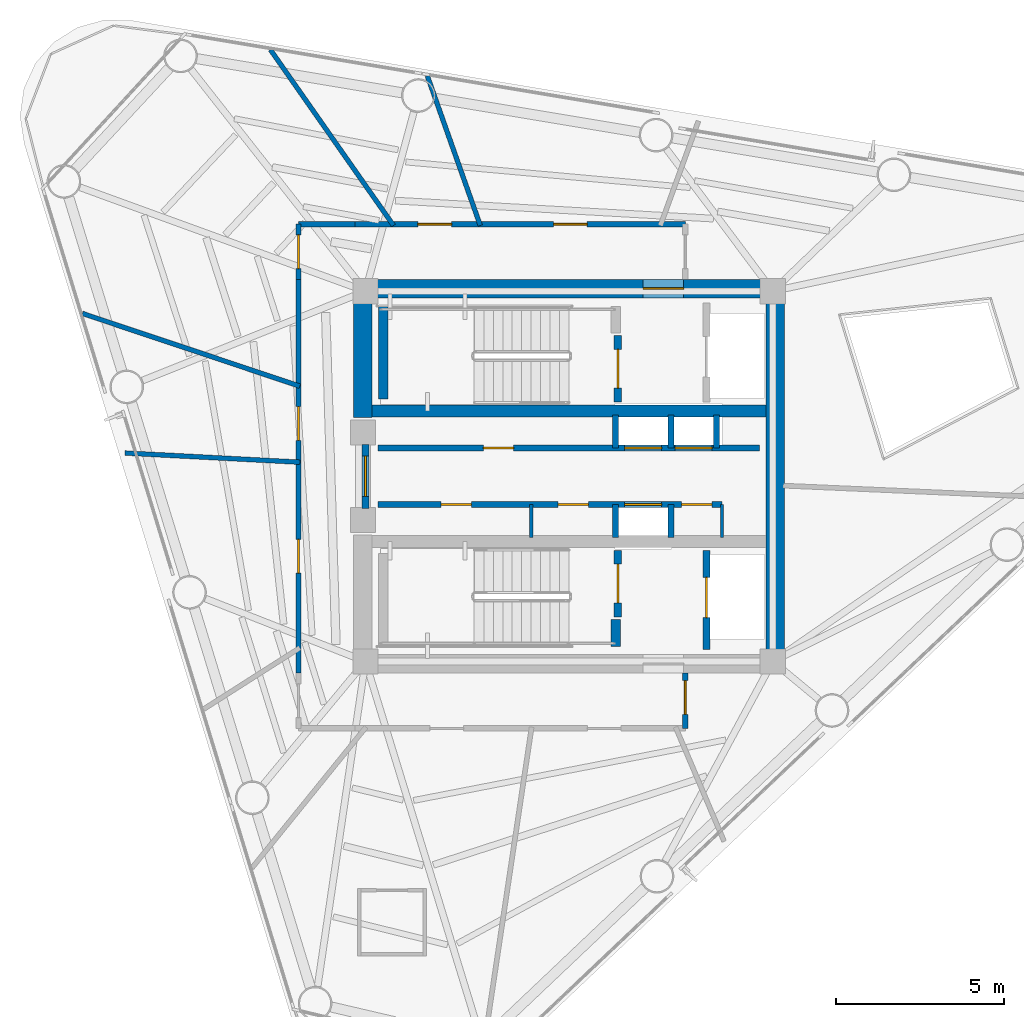
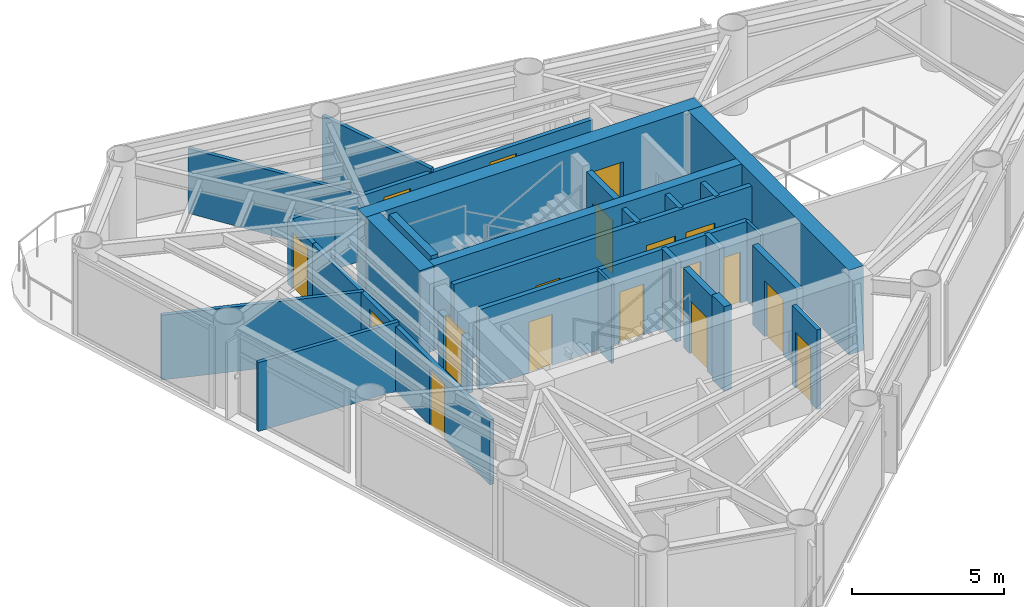
# One storey, part 5 of 8: 28 walls, 18 doors, 18 openings.
"""IFC4 building model written with IfcOpenShell, lengths in metres."""

from ifc_helpers import new_model, si_unit, direction, frame, frame_2d, origin, place, context, subcontext, project, spatial, rectangle, extrude, material, layer, layer_set, type_object, element, fill, save


model = new_model("IFC4")

# Units and contexts
model_context = context("Model", 3, precision=1e-05, world=origin(), true_north=direction((0.0, 1.0)))
body_context = subcontext(model_context, "Body", "Model", "MODEL_VIEW")
ifc_project = project(units=[si_unit("LENGTHUNIT", "METRE"), si_unit("AREAUNIT", "SQUARE_METRE"), si_unit("VOLUMEUNIT", "CUBIC_METRE"), si_unit("PLANEANGLEUNIT", "RADIAN"), si_unit("MASSUNIT", "GRAM", prefix="KILO")], contexts=[model_context])

# Site, building, storey
site_placement = place(None, origin())
site = spatial("IfcSite", under=ifc_project, at=site_placement, CompositionType="ELEMENT")
building_placement = place(site_placement, origin())
building = spatial("IfcBuilding", under=site, at=building_placement, Name="Yunling Apex Tower", CompositionType="ELEMENT")
storey_placement = place(building_placement, frame((0.0, 0.0, 235.449951171875)))
storey = spatial("IfcBuildingStorey", under=building, at=storey_placement, Name="L57", CompositionType="ELEMENT", Elevation=235.449951171875)

# Wall, opening, door
ifc_material_1 = material(Name="Concrete C40", Category="concrete")
ifc_layer_1 = layer(ifc_material_1, 0.550048828125)
ifc_layer_set_1 = layer_set([ifc_layer_1], Name="Concrete C40")
wall_type_1 = type_object("IfcWallType", Name="WL-COR-3", PredefinedType="SHEAR", material=ifc_layer_set_1)
wall_1_placement = place(storey_placement, frame((-6.39990234375, 5.574951171875, 0.0), z_axis=(0.0, 0.0, 1.0), x_axis=(1.0, 0.0, 0.0)))
wall_1 = element("IfcWall", 1, at=wall_1_placement, inside=storey, type_object=wall_type_1, Name="L57 North Core Shear Wall", PredefinedType="SHEAR", context=body_context, shape_type="SweptSolid", body=[
    extrude(rectangle(XDim=12.7998046875, YDim=0.550048828125, at=frame_2d((6.39990234375, 0.0))), origin(), (0.0, 0.0, 1.0), 3.400146484375),
])
opening_1_placement = place(wall_1_placement, frame((8.60009765625, 0.0, 0.0)))
opening_1 = element("IfcOpeningElement", 2, at=opening_1_placement, cuts=wall_1, Name="Opening DR-FFL-1", PredefinedType="OPENING", context=body_context, shape_type="SweptSolid", body=[
    extrude(rectangle(XDim=1.199951171875, YDim=2.199951171875, at=frame_2d((0.60009765625, 1.10009765625))), frame((0.0, 0.28515625, 0.0), z_axis=(0.0, -1.0, 0.0), x_axis=(1.0, 0.0, 0.0)), (0.0, 0.0, 1.0), 0.570068359375),
])
ifc_material_2 = material(Name="Steel Q355B", Category="steel")
door_type_1 = type_object("IfcDoorType", Name="DR-FFL-1", OperationType="NOTDEFINED", PredefinedType="DOOR", material=ifc_material_2)
door_1_placement = place(opening_1_placement, origin())
door_1 = element("IfcDoor", 3, at=door_1_placement, inside=storey, type_object=door_type_1, Name="L57 North Firefighting Lobby Door", OperationType="SINGLE_SWING_LEFT", OverallHeight=2.199951171875, OverallWidth=1.199951171875, PredefinedType="DOOR", context=body_context, shape_type="SweptSolid", body=[
    extrude(rectangle(XDim=1.199951171875, YDim=2.199951171875, at=frame_2d((0.60009765625, 1.10009765625))), frame((0.0, 0.02490234375, 0.0), z_axis=(0.0, -1.0, 0.0), x_axis=(1.0, 0.0, 0.0)), (0.0, 0.0, 1.0), 0.050048828125),
])
fill(opening_1, door_1)

# Walls
wall_2_placement = place(storey_placement, frame((6.125, -5.300048828125, 0.0), z_axis=(0.0, 0.0, 1.0), x_axis=(0.0, 1.0, 0.0)))
element("IfcWall", 4, at=wall_2_placement, inside=storey, type_object=wall_type_1, Name="L57 East Core Shear Wall", PredefinedType="SHEAR", context=body_context, shape_type="SweptSolid", body=[
    extrude(rectangle(XDim=10.60009765625, YDim=0.550048828125, at=frame_2d((5.300048828125, 0.0))), origin(), (0.0, 0.0, 1.0), 3.400146484375),
])
wall_3_placement = place(storey_placement, frame((-6.125, 1.75, 0.0), z_axis=(0.0, 0.0, 1.0), x_axis=(0.0, 1.0, 0.0)))
element("IfcWall", 5, at=wall_3_placement, inside=storey, type_object=wall_type_1, Name="L57 West-North Core Shear Wall", PredefinedType="SHEAR", context=body_context, shape_type="SweptSolid", body=[
    extrude(rectangle(XDim=3.550048828125, YDim=0.550048828125, at=frame_2d((1.77490234375, 0.0))), origin(), (0.0, 0.0, 1.0), 3.400146484375),
])
ifc_layer_2 = layer(ifc_material_1, 0.360107421875)
ifc_layer_set_2 = layer_set([ifc_layer_2], Name="Concrete C40")
wall_type_2 = type_object("IfcWallType", Name="WL-COR-4", PredefinedType="SHEAR", material=ifc_layer_set_2)
wall_4_placement = place(storey_placement, frame((-5.85009765625, 1.93994140625, 0.0), z_axis=(0.0, 0.0, 1.0), x_axis=(1.0, 0.0, 0.0)))
element("IfcWall", 6, at=wall_4_placement, inside=storey, type_object=wall_type_2, Name="L57 North Internal Core Shear Wall", PredefinedType="SHEAR", context=body_context, shape_type="SweptSolid", body=[
    extrude(rectangle(XDim=11.7001953125, YDim=0.360107421875, at=frame_2d((5.85009765625, 0.0))), origin(), (0.0, 0.0, 1.0), 3.400146484375),
])
ifc_layer_3 = layer(ifc_material_1, 0.280029296875)
ifc_layer_set_3 = layer_set([ifc_layer_3], Name="Concrete C40")
wall_type_3 = type_object("IfcWallType", Name="WL-COR-8", PredefinedType="SHEAR", material=ifc_layer_set_3)
wall_5_placement = place(storey_placement, frame((-5.52001953125, 2.300048828125, 0.0), z_axis=(0.0, 0.0, 1.0), x_axis=(0.0, 1.0, 0.0)))
element("IfcWall", 7, at=wall_5_placement, inside=storey, type_object=wall_type_3, Name="L57 ST-1 West Landing Bearing Wall", PredefinedType="SHEAR", context=body_context, shape_type="SweptSolid", body=[
    extrude(rectangle(XDim=2.75, YDim=0.280029296875, at=frame_2d((1.375, 0.0))), origin(), (0.0, 0.0, 1.0), 3.400146484375),
])
wall_6_placement = place(storey_placement, frame((1.3798828125, -5.050048828125, 0.0), z_axis=(0.0, 0.0, 1.0), x_axis=(0.0, 1.0, 0.0)))
element("IfcWall", 8, at=wall_6_placement, inside=storey, type_object=wall_type_3, Name="L57 ST-2 East Landing Bearing Pier", PredefinedType="SHEAR", context=body_context, shape_type="SweptSolid", body=[
    extrude(rectangle(XDim=0.800048828125, YDim=0.280029296875, at=frame_2d((0.39990234375, 0.0))), origin(), (0.0, 0.0, 1.0), 3.400146484375),
])

# Wall, opening, door
ifc_material_3 = material(Name="Gypsum board acoustic partition")
ifc_layer_4 = layer(ifc_material_3, 0.159912109375)
ifc_layer_set_4 = layer_set([ifc_layer_4], Name="Gypsum board acoustic partition")
wall_type_4 = type_object("IfcWallType", Name="WL-PRT-1", PredefinedType="PARTITIONING", material=ifc_layer_set_4)
wall_7_placement = place(storey_placement, frame((-8.0400390625, 5.85009765625, 0.0), z_axis=(0.0, 0.0, 1.0), x_axis=(0.0, 1.0, 0.0)))
wall_7 = element("IfcWall", 9, at=wall_7_placement, inside=storey, type_object=wall_type_4, Name="WL-CORR-L57-01", PredefinedType="PARTITIONING", context=body_context, shape_type="SweptSolid", body=[
    extrude(rectangle(XDim=1.639892578125, YDim=0.159912109375, at=frame_2d((0.81982421875, 0.0))), origin(), (0.0, 0.0, 1.0), 2.60498046875),
])
opening_2_placement = place(wall_7_placement, frame((0.320068359375, 0.0, 0.0)))
opening_2 = element("IfcOpeningElement", 10, at=opening_2_placement, cuts=wall_7, Name="Opening DR-OFF-1", PredefinedType="OPENING", context=body_context, shape_type="SweptSolid", body=[
    extrude(rectangle(XDim=1.0, YDim=2.25, at=frame_2d((0.5, 1.125))), frame((0.0, 0.08984375, 0.0), z_axis=(0.0, -1.0, 0.0), x_axis=(1.0, 0.0, 0.0)), (0.0, 0.0, 1.0), 0.179931640625),
])
ifc_material_4 = material(Name="Bronze anodised aluminium", Category="aluminium")
door_type_2 = type_object("IfcDoorType", Name="DR-OFF-1", OperationType="NOTDEFINED", PredefinedType="DOOR", material=ifc_material_4)
door_2_placement = place(opening_2_placement, origin())
door_2 = element("IfcDoor", 11, at=door_2_placement, inside=storey, type_object=door_type_2, Name="L57 Residents Sky Reading Lounge Door", OperationType="SINGLE_SWING_LEFT", OverallHeight=2.25, OverallWidth=1.0, PredefinedType="DOOR", context=body_context, shape_type="SweptSolid", body=[
    extrude(rectangle(XDim=1.0, YDim=2.25, at=frame_2d((0.5, 1.125))), frame((0.0, 0.02490234375, 0.0), z_axis=(0.0, -1.0, 0.0), x_axis=(1.0, 0.0, 0.0)), (0.0, 0.0, 1.0), 0.050048828125),
])
fill(opening_2, door_2)

# Wall
wall_8_placement = place(storey_placement, frame((-8.0400390625, 7.489990234375, 0.0), z_axis=(0.0, 0.0, 1.0), x_axis=(1.0, 0.0, 0.0)))
element("IfcWall", 12, at=wall_8_placement, inside=storey, type_object=wall_type_4, Name="WL-CORR-L57-02", PredefinedType="PARTITIONING", context=body_context, shape_type="SweptSolid", body=[
    extrude(rectangle(XDim=1.679931640625, YDim=0.159912109375, at=frame_2d((0.83984375, 0.0))), origin(), (0.0, 0.0, 1.0), 2.60498046875),
])

# Wall, openings, doors
wall_9_placement = place(storey_placement, frame((-6.360107421875, 7.489990234375, 0.0), z_axis=(0.0, 0.0, 1.0), x_axis=(1.0, 0.0, 0.0)))
wall_9 = element("IfcWall", 13, at=wall_9_placement, inside=storey, type_object=wall_type_4, Name="WL-CORR-L57-03", PredefinedType="PARTITIONING", context=body_context, shape_type="SweptSolid", body=[
    extrude(rectangle(XDim=9.81005859375, YDim=0.159912109375, at=frame_2d((4.905029296875, 0.0))), origin(), (0.0, 0.0, 1.0), 2.60498046875),
])
opening_3_placement = place(wall_9_placement, frame((1.866943359375, 0.0, 0.0)))
opening_3 = element("IfcOpeningElement", 14, at=opening_3_placement, cuts=wall_9, Name="Opening DR-OFF-1", PredefinedType="OPENING", context=body_context, shape_type="SweptSolid", body=[
    extrude(rectangle(XDim=1.0, YDim=2.25, at=frame_2d((0.5, 1.125))), frame((0.0, 0.08984375, 0.0), z_axis=(0.0, -1.0, 0.0), x_axis=(1.0, 0.0, 0.0)), (0.0, 0.0, 1.0), 0.179931640625),
])
opening_4_placement = place(wall_9_placement, frame((5.897216796875, 0.0, 0.0)))
opening_4 = element("IfcOpeningElement", 15, at=opening_4_placement, cuts=wall_9, Name="Opening DR-OFF-1", PredefinedType="OPENING", context=body_context, shape_type="SweptSolid", body=[
    extrude(rectangle(XDim=1.0, YDim=2.25, at=frame_2d((0.5, 1.125))), frame((0.0, 0.08984375, 0.0), z_axis=(0.0, -1.0, 0.0), x_axis=(1.0, 0.0, 0.0)), (0.0, 0.0, 1.0), 0.179931640625),
])
door_3_placement = place(opening_3_placement, origin())
door_3 = element("IfcDoor", 16, at=door_3_placement, inside=storey, type_object=door_type_2, Name="L57 Residents Fitness Club Door", OperationType="SINGLE_SWING_RIGHT", OverallHeight=2.25, OverallWidth=1.0, PredefinedType="DOOR", context=body_context, shape_type="SweptSolid", body=[
    extrude(rectangle(XDim=1.0, YDim=2.25, at=frame_2d((0.5, 1.125))), frame((0.0, 0.02490234375, 0.0), z_axis=(0.0, -1.0, 0.0), x_axis=(1.0, 0.0, 0.0)), (0.0, 0.0, 1.0), 0.050048828125),
])
fill(opening_3, door_3)
door_4_placement = place(opening_4_placement, origin())
door_4 = element("IfcDoor", 17, at=door_4_placement, inside=storey, type_object=door_type_2, Name="L57 Residents Sky Reading Lounge Door", OperationType="SINGLE_SWING_LEFT", OverallHeight=2.25, OverallWidth=1.0, PredefinedType="DOOR", context=body_context, shape_type="SweptSolid", body=[
    extrude(rectangle(XDim=1.0, YDim=2.25, at=frame_2d((0.5, 1.125))), frame((0.0, 0.02490234375, 0.0), z_axis=(0.0, -1.0, 0.0), x_axis=(1.0, 0.0, 0.0)), (0.0, 0.0, 1.0), 0.050048828125),
])
fill(opening_4, door_4)

# Wall, opening, door
wall_10_placement = place(storey_placement, frame((3.449951171875, -5.85009765625, 0.0), z_axis=(0.0, 0.0, 1.0), x_axis=(0.0, -1.0, 0.0)))
wall_10 = element("IfcWall", 18, at=wall_10_placement, inside=storey, type_object=wall_type_4, Name="WL-CORR-L57-05", PredefinedType="PARTITIONING", context=body_context, shape_type="SweptSolid", body=[
    extrude(rectangle(XDim=1.639892578125, YDim=0.159912109375, at=frame_2d((0.81982421875, 0.0))), origin(), (0.0, 0.0, 1.0), 3.199951171875),
])
opening_5_placement = place(wall_10_placement, frame((0.219970703125, 0.0, 0.0)))
opening_5 = element("IfcOpeningElement", 19, at=opening_5_placement, cuts=wall_10, Name="Opening DR-OFF-1", PredefinedType="OPENING", context=body_context, shape_type="SweptSolid", body=[
    extrude(rectangle(XDim=1.0, YDim=2.25, at=frame_2d((0.5, 1.125))), frame((0.0, 0.08984375, 0.0), z_axis=(0.0, -1.0, 0.0), x_axis=(1.0, 0.0, 0.0)), (0.0, 0.0, 1.0), 0.179931640625),
])
door_5_placement = place(opening_5_placement, origin())
door_5 = element("IfcDoor", 20, at=door_5_placement, inside=storey, type_object=door_type_2, Name="L57 Residents Sky Reading Lounge Door", OperationType="SINGLE_SWING_LEFT", OverallHeight=2.25, OverallWidth=1.0, PredefinedType="DOOR", context=body_context, shape_type="SweptSolid", body=[
    extrude(rectangle(XDim=1.0, YDim=2.25, at=frame_2d((0.5, 1.125))), frame((0.0, 0.02490234375, 0.0), z_axis=(0.0, -1.0, 0.0), x_axis=(1.0, 0.0, 0.0)), (0.0, 0.0, 1.0), 0.050048828125),
])
fill(opening_5, door_5)

# Wall, openings, doors
wall_11_placement = place(storey_placement, frame((-8.0400390625, -5.85009765625, 0.0), z_axis=(0.0, 0.0, 1.0), x_axis=(0.0, 1.0, 0.0)))
wall_11 = element("IfcWall", 21, at=wall_11_placement, inside=storey, type_object=wall_type_4, Name="WL-CORR-L57-09", PredefinedType="PARTITIONING", context=body_context, shape_type="SweptSolid", body=[
    extrude(rectangle(XDim=11.7001953125, YDim=0.159912109375, at=frame_2d((5.85009765625, 0.0))), origin(), (0.0, 0.0, 1.0), 2.60498046875),
])
opening_6_placement = place(wall_11_placement, frame((2.97705078125, 0.0, 0.0)))
opening_6 = element("IfcOpeningElement", 22, at=opening_6_placement, cuts=wall_11, Name="Opening DR-OFF-1", PredefinedType="OPENING", context=body_context, shape_type="SweptSolid", body=[
    extrude(rectangle(XDim=1.0, YDim=2.25, at=frame_2d((0.5, 1.125))), frame((0.0, 0.08984375, 0.0), z_axis=(0.0, -1.0, 0.0), x_axis=(1.0, 0.0, 0.0)), (0.0, 0.0, 1.0), 0.179931640625),
])
opening_7_placement = place(wall_11_placement, frame((6.91943359375, 0.0, 0.0)))
opening_7 = element("IfcOpeningElement", 23, at=opening_7_placement, cuts=wall_11, Name="Opening DR-OFF-1", PredefinedType="OPENING", context=body_context, shape_type="SweptSolid", body=[
    extrude(rectangle(XDim=1.0, YDim=2.25, at=frame_2d((0.5, 1.125))), frame((0.0, 0.08984375, 0.0), z_axis=(0.0, -1.0, 0.0), x_axis=(1.0, 0.0, 0.0)), (0.0, 0.0, 1.0), 0.179931640625),
])
door_6_placement = place(opening_6_placement, origin())
door_6 = element("IfcDoor", 24, at=door_6_placement, inside=storey, type_object=door_type_2, Name="L57 Residents Sky Reading Lounge Door", OperationType="SINGLE_SWING_LEFT", OverallHeight=2.25, OverallWidth=1.0, PredefinedType="DOOR", context=body_context, shape_type="SweptSolid", body=[
    extrude(rectangle(XDim=1.0, YDim=2.25, at=frame_2d((0.5, 1.125))), frame((0.0, 0.02490234375, 0.0), z_axis=(0.0, -1.0, 0.0), x_axis=(1.0, 0.0, 0.0)), (0.0, 0.0, 1.0), 0.050048828125),
])
fill(opening_6, door_6)
door_7_placement = place(opening_7_placement, origin())
door_7 = element("IfcDoor", 25, at=door_7_placement, inside=storey, type_object=door_type_2, Name="L57 Residents Fitness Club Door", OperationType="SINGLE_SWING_RIGHT", OverallHeight=2.25, OverallWidth=1.0, PredefinedType="DOOR", context=body_context, shape_type="SweptSolid", body=[
    extrude(rectangle(XDim=1.0, YDim=2.25, at=frame_2d((0.5, 1.125))), frame((0.0, 0.02490234375, 0.0), z_axis=(0.0, -1.0, 0.0), x_axis=(1.0, 0.0, 0.0)), (0.0, 0.0, 1.0), 0.050048828125),
])
fill(opening_7, door_7)

# Walls
ifc_layer_5 = layer(ifc_material_3, 0.139892578125)
ifc_layer_set_5 = layer_set([ifc_layer_5], Name="Gypsum board acoustic partition")
wall_type_5 = type_object("IfcWallType", Name="WL-PRT-2", PredefinedType="PARTITIONING", material=ifc_layer_set_5)
wall_12_placement = place(storey_placement, frame((-2.63818359375, 7.449951171875, 0.0), z_axis=(0.0, 0.0, 1.0), x_axis=(-0.333819345572, 0.942637069355, 0.0)))
element("IfcWall", 26, at=wall_12_placement, inside=storey, type_object=wall_type_5, Name="WL-RAD-L57-03", PredefinedType="PARTITIONING", context=body_context, shape_type="SweptSolid", body=[
    extrude(rectangle(XDim=4.715087890625, YDim=0.139892578125, at=frame_2d((2.357421875, 0.0))), origin(), (0.0, 0.0, 1.0), 2.76513671875),
])
wall_13_placement = place(storey_placement, frame((-5.216552734375, 7.449951171875, 0.0), z_axis=(0.0, 0.0, 1.0), x_axis=(-0.573578024676, 0.819150932129, 0.0)))
element("IfcWall", 27, at=wall_13_placement, inside=storey, type_object=wall_type_5, Name="WL-RAD-L57-04", PredefinedType="PARTITIONING", context=body_context, shape_type="SweptSolid", body=[
    extrude(rectangle(XDim=6.37353515625, YDim=0.139892578125, at=frame_2d((3.186767578125, 0.0))), origin(), (0.0, 0.0, 1.0), 2.60498046875),
])
wall_14_placement = place(storey_placement, frame((-8.0, 2.6767578125, 0.0), z_axis=(0.0, 0.0, 1.0), x_axis=(-0.948324112853, 0.317303288639, 0.0)))
element("IfcWall", 28, at=wall_14_placement, inside=storey, type_object=wall_type_5, Name="WL-RAD-L57-05", PredefinedType="PARTITIONING", context=body_context, shape_type="SweptSolid", body=[
    extrude(rectangle(XDim=6.80859375, YDim=0.139892578125, at=frame_2d((3.404296875, 0.0))), origin(), (0.0, 0.0, 1.0), 2.60498046875),
])
wall_15_placement = place(storey_placement, frame((-8.0, 0.419189453125, 0.0), z_axis=(0.0, 0.0, 1.0), x_axis=(-0.998629485047, 0.052336904702, 0.0)))
element("IfcWall", 29, at=wall_15_placement, inside=storey, type_object=wall_type_5, Name="WL-RAD-L57-06", PredefinedType="PARTITIONING", context=body_context, shape_type="SweptSolid", body=[
    extrude(rectangle(XDim=5.196533203125, YDim=0.139892578125, at=frame_2d((2.59814453125, 0.0))), origin(), (0.0, 0.0, 1.0), 2.76513671875),
])
ifc_layer_6 = layer(ifc_material_3, 0.10009765625)
ifc_layer_set_6 = layer_set([ifc_layer_6], Name="Gypsum board acoustic partition")
wall_type_6 = type_object("IfcWallType", Name="WL-PRT-4", PredefinedType="PARTITIONING", material=ifc_layer_set_6)
for number, where, z_axis, x_axis, name in (
    (30, (-1.1201171875, -1.820068359375, 0.0), (0.0, 0.0, 1.0), (0.0, 1.0, 0.0), "WL-RECLMA-S-L57"),
    (31, (4.5400390625, -1.820068359375, 0.0), (0.0, 0.0, 1.0), (0.0, 1.0, 0.0), "WL-KASE-E-L57"),
):
    element("IfcWall", number, at=place(storey_placement, frame(where, z_axis=z_axis, x_axis=x_axis)), inside=storey, type_object=wall_type_6, Name=name, PredefinedType="PARTITIONING", context=body_context, shape_type="SweptSolid", body=[
        extrude(rectangle(XDim=0.97998046875, YDim=0.10009765625, at=frame_2d((0.489990234375, 0.0))), origin(), (0.0, 0.0, 1.0), 3.199951171875),
    ])

# Wall, opening, door
ifc_material_5 = material(Name="Autoclaved aerated concrete masonry", Category="masonry")
ifc_layer_7 = layer(ifc_material_5, 0.219970703125)
ifc_layer_set_7 = layer_set([ifc_layer_7], Name="Autoclaved aerated concrete masonry")
wall_type_7 = type_object("IfcWallType", Name="WL-SHF-1", PredefinedType="PLUMBINGWALL", material=ifc_layer_set_7)
wall_16_placement = place(storey_placement, frame((-6.050048828125, -0.949951171875, 0.0), z_axis=(0.0, 0.0, 1.0), x_axis=(0.0, 1.0, 0.0)))
wall_16 = element("IfcWall", 32, at=wall_16_placement, inside=storey, type_object=wall_type_7, Name="WL-COR-WPORT-L57", PredefinedType="PLUMBINGWALL", context=body_context, shape_type="SweptSolid", body=[
    extrude(rectangle(XDim=1.89990234375, YDim=0.219970703125, at=frame_2d((0.949951171875, 0.0))), origin(), (0.0, 0.0, 1.0), 2.179931640625),
])
opening_8_placement = place(wall_16_placement, frame((0.35009765625, 0.0, 0.0)))
opening_8 = element("IfcOpeningElement", 33, at=opening_8_placement, cuts=wall_16, Name="Opening DR-FFL-1", PredefinedType="OPENING", context=body_context, shape_type="SweptSolid", body=[
    extrude(rectangle(XDim=1.199951171875, YDim=2.199951171875, at=frame_2d((0.60009765625, 1.10009765625))), frame((0.0, 0.1201171875, 0.0), z_axis=(0.0, -1.0, 0.0), x_axis=(1.0, 0.0, 0.0)), (0.0, 0.0, 1.0), 0.239990234375),
])
door_8_placement = place(opening_8_placement, origin())
door_8 = element("IfcDoor", 34, at=door_8_placement, inside=storey, type_object=door_type_1, Name="L57 Passenger Lift Lobby Entrance Door", OperationType="SINGLE_SWING_LEFT", OverallHeight=2.199951171875, OverallWidth=1.199951171875, PredefinedType="DOOR", context=body_context, shape_type="SweptSolid", body=[
    extrude(rectangle(XDim=1.199951171875, YDim=2.199951171875, at=frame_2d((0.60009765625, 1.10009765625))), frame((0.0, 0.02490234375, 0.0), z_axis=(0.0, -1.0, 0.0), x_axis=(1.0, 0.0, 0.0)), (0.0, 0.0, 1.0), 0.050048828125),
])
fill(opening_8, door_8)

wall_17_placement = place(storey_placement, frame((1.449951171875, 2.199951171875, 0.0), z_axis=(0.0, 0.0, 1.0), x_axis=(0.0, 1.0, 0.0)))
wall_17 = element("IfcWall", 35, at=wall_17_placement, inside=storey, type_object=wall_type_7, Name="WL-ST1-E-L57", PredefinedType="PLUMBINGWALL", context=body_context, shape_type="SweptSolid", body=[
    extrude(rectangle(XDim=1.97998046875, YDim=0.219970703125, at=frame_2d((0.989990234375, 0.0))), origin(), (0.0, 0.0, 1.0), 3.199951171875),
])
opening_9_placement = place(wall_17_placement, frame((0.419921875, 0.0, 0.0)))
opening_9 = element("IfcOpeningElement", 36, at=opening_9_placement, cuts=wall_17, Name="Opening DR-ST-1", PredefinedType="OPENING", context=body_context, shape_type="SweptSolid", body=[
    extrude(rectangle(XDim=1.14990234375, YDim=2.14990234375, at=frame_2d((0.574951171875, 1.074951171875))), frame((0.0, 0.1201171875, 0.0), z_axis=(0.0, -1.0, 0.0), x_axis=(1.0, 0.0, 0.0)), (0.0, 0.0, 1.0), 0.239990234375),
])
door_type_3 = type_object("IfcDoorType", Name="DR-ST-1", OperationType="NOTDEFINED", PredefinedType="DOOR", material=ifc_material_2)
door_9_placement = place(opening_9_placement, origin())
door_9 = element("IfcDoor", 37, at=door_9_placement, inside=storey, type_object=door_type_3, Name="L57 Stair ST-1 Fire Door", OperationType="SINGLE_SWING_RIGHT", OverallHeight=2.14990234375, OverallWidth=1.14990234375, PredefinedType="DOOR", context=body_context, shape_type="SweptSolid", body=[
    extrude(rectangle(XDim=1.14990234375, YDim=2.14990234375, at=frame_2d((0.574951171875, 1.074951171875))), frame((0.0, 0.02490234375, 0.0), z_axis=(0.0, -1.0, 0.0), x_axis=(1.0, 0.0, 0.0)), (0.0, 0.0, 1.0), 0.050048828125),
])
fill(opening_9, door_9)

wall_18_placement = place(storey_placement, frame((1.449951171875, -4.179931640625, 0.0), z_axis=(0.0, 0.0, 1.0), x_axis=(0.0, 1.0, 0.0)))
wall_18 = element("IfcWall", 38, at=wall_18_placement, inside=storey, type_object=wall_type_7, Name="WL-ST2-E-L57", PredefinedType="PLUMBINGWALL", context=body_context, shape_type="SweptSolid", body=[
    extrude(rectangle(XDim=1.97998046875, YDim=0.219970703125, at=frame_2d((0.989990234375, 0.0))), origin(), (0.0, 0.0, 1.0), 3.199951171875),
])
opening_10_placement = place(wall_18_placement, frame((0.419921875, 0.0, 0.0)))
opening_10 = element("IfcOpeningElement", 39, at=opening_10_placement, cuts=wall_18, Name="Opening DR-ST-1", PredefinedType="OPENING", context=body_context, shape_type="SweptSolid", body=[
    extrude(rectangle(XDim=1.14990234375, YDim=2.14990234375, at=frame_2d((0.574951171875, 1.074951171875))), frame((0.0, 0.1201171875, 0.0), z_axis=(0.0, -1.0, 0.0), x_axis=(1.0, 0.0, 0.0)), (0.0, 0.0, 1.0), 0.239990234375),
])
door_10_placement = place(opening_10_placement, origin())
door_10 = element("IfcDoor", 40, at=door_10_placement, inside=storey, type_object=door_type_3, Name="L57 Stair ST-2 Fire Door", OperationType="SINGLE_SWING_LEFT", OverallHeight=2.14990234375, OverallWidth=1.14990234375, PredefinedType="DOOR", context=body_context, shape_type="SweptSolid", body=[
    extrude(rectangle(XDim=1.14990234375, YDim=2.14990234375, at=frame_2d((0.574951171875, 1.074951171875))), frame((0.0, 0.02490234375, 0.0), z_axis=(0.0, -1.0, 0.0), x_axis=(1.0, 0.0, 0.0)), (0.0, 0.0, 1.0), 0.050048828125),
])
fill(opening_10, door_10)

wall_19_placement = place(storey_placement, frame((4.080078125, -5.14990234375, 0.0), z_axis=(0.0, 0.0, 1.0), x_axis=(0.0, 1.0, 0.0)))
wall_19 = element("IfcWall", 41, at=wall_19_placement, inside=storey, type_object=wall_type_7, Name="WL-FFL2-W-L57", PredefinedType="PLUMBINGWALL", context=body_context, shape_type="SweptSolid", body=[
    extrude(rectangle(XDim=2.949951171875, YDim=0.219970703125, at=frame_2d((1.47509765625, 0.0))), origin(), (0.0, 0.0, 1.0), 3.199951171875),
])
opening_11_placement = place(wall_19_placement, frame((0.949951171875, 0.0, 0.0)))
opening_11 = element("IfcOpeningElement", 42, at=opening_11_placement, cuts=wall_19, Name="Opening LD-FFL-1", PredefinedType="OPENING", context=body_context, shape_type="SweptSolid", body=[
    extrude(rectangle(XDim=1.199951171875, YDim=2.25, at=frame_2d((0.60009765625, 1.125))), frame((0.0, 0.1201171875, 0.0), z_axis=(0.0, -1.0, 0.0), x_axis=(1.0, 0.0, 0.0)), (0.0, 0.0, 1.0), 0.239990234375),
])
door_type_4 = type_object("IfcDoorType", Name="LD-FFL-1", OperationType="DOUBLE_DOOR_SLIDING", PredefinedType="DOOR", material=ifc_material_2)
door_11_placement = place(opening_11_placement, origin())
door_11 = element("IfcDoor", 43, at=door_11_placement, inside=storey, type_object=door_type_4, Name="L57 Lift FFL-2 Landing Door", OperationType="DOUBLE_DOOR_SLIDING", OverallHeight=2.25, OverallWidth=1.199951171875, PredefinedType="DOOR", context=body_context, shape_type="SweptSolid", body=[
    extrude(rectangle(XDim=1.199951171875, YDim=2.25, at=frame_2d((0.60009765625, 1.125))), frame((0.0, 0.02490234375, 0.0), z_axis=(0.0, -1.0, 0.0), x_axis=(1.0, 0.0, 0.0)), (0.0, 0.0, 1.0), 0.050048828125),
])
fill(opening_11, door_11)

# Walls
ifc_layer_8 = layer(ifc_material_5, 0.179931640625)
ifc_layer_set_8 = layer_set([ifc_layer_8], Name="Autoclaved aerated concrete masonry")
wall_type_8 = type_object("IfcWallType", Name="WL-SHF-2", PredefinedType="PLUMBINGWALL", material=ifc_layer_set_8)
for number, where, z_axis, x_axis, name in (
    (44, (1.3798828125, 0.840087890625, 0.0), (0.0, 0.0, 1.0), (0.0, 1.0, 0.0), "WL-BNK-MH-N-L57"),
    (45, (1.3798828125, -1.820068359375, 0.0), (0.0, 0.0, 1.0), (0.0, 1.0, 0.0), "WL-BNK-MH-S-L57"),
    (46, (3.02001953125, 0.840087890625, 0.0), (0.0, 0.0, 1.0), (0.0, 1.0, 0.0), "WL-DIV-H13-L57"),
    (47, (4.3798828125, 0.840087890625, 0.0), (0.0, 0.0, 1.0), (0.0, 1.0, 0.0), "WL-END-H3E-L57"),
    (48, (3.02001953125, -1.820068359375, 0.0), (0.0, 0.0, 1.0), (0.0, 1.0, 0.0), "WL-END-H2E-L57"),
):
    element("IfcWall", number, at=place(storey_placement, frame(where, z_axis=z_axis, x_axis=x_axis)), inside=storey, type_object=wall_type_8, Name=name, PredefinedType="PLUMBINGWALL", context=body_context, shape_type="SweptSolid", body=[
        extrude(rectangle(XDim=0.97998046875, YDim=0.179931640625, at=frame_2d((0.489990234375, 0.0))), origin(), (0.0, 0.0, 1.0), 3.199951171875),
    ])

# Wall, openings, doors
wall_20_placement = place(storey_placement, frame((-5.679931640625, 0.840087890625, 0.0), z_axis=(0.0, 0.0, 1.0), x_axis=(1.0, 0.0, 0.0)))
wall_20 = element("IfcWall", 49, at=wall_20_placement, inside=storey, type_object=wall_type_8, Name="WL-LOB-N-L57", PredefinedType="PLUMBINGWALL", context=body_context, shape_type="SweptSolid", body=[
    extrude(rectangle(XDim=11.329833984375, YDim=0.179931640625, at=frame_2d((5.6650390625, 0.0))), origin(), (0.0, 0.0, 1.0), 3.199951171875),
])
opening_12_placement = place(wall_20_placement, frame((3.1298828125, 0.0, 0.0)))
opening_12 = element("IfcOpeningElement", 50, at=opening_12_placement, cuts=wall_20, Name="Opening DR-SHF-1", PredefinedType="OPENING", context=body_context, shape_type="SweptSolid", body=[
    extrude(rectangle(XDim=0.89990234375, YDim=2.050048828125, at=frame_2d((0.449951171875, 1.02490234375))), frame((0.0, 0.10009765625, 0.0), z_axis=(0.0, -1.0, 0.0), x_axis=(1.0, 0.0, 0.0)), (0.0, 0.0, 1.0), 0.199951171875),
])
opening_13_placement = place(wall_20_placement, frame((7.330078125, 0.0, 0.0)))
opening_13 = element("IfcOpeningElement", 51, at=opening_13_placement, cuts=wall_20, Name="Opening LD-PAS-1", PredefinedType="OPENING", context=body_context, shape_type="SweptSolid", body=[
    extrude(rectangle(XDim=1.10009765625, YDim=2.199951171875, at=frame_2d((0.550048828125, 1.10009765625))), frame((0.0, 0.10009765625, 0.0), z_axis=(0.0, -1.0, 0.0), x_axis=(1.0, 0.0, 0.0)), (0.0, 0.0, 1.0), 0.199951171875),
])
opening_14_placement = place(wall_20_placement, frame((8.830078125, 0.0, 0.0)))
opening_14 = element("IfcOpeningElement", 52, at=opening_14_placement, cuts=wall_20, Name="Opening LD-PAS-1", PredefinedType="OPENING", context=body_context, shape_type="SweptSolid", body=[
    extrude(rectangle(XDim=1.10009765625, YDim=2.199951171875, at=frame_2d((0.550048828125, 1.10009765625))), frame((0.0, 0.10009765625, 0.0), z_axis=(0.0, -1.0, 0.0), x_axis=(1.0, 0.0, 0.0)), (0.0, 0.0, 1.0), 0.199951171875),
])
door_type_5 = type_object("IfcDoorType", Name="DR-SHF-1", OperationType="NOTDEFINED", PredefinedType="DOOR", material=ifc_material_2)
door_12_placement = place(opening_12_placement, origin())
door_12 = element("IfcDoor", 53, at=door_12_placement, inside=storey, type_object=door_type_5, Name="L57 Archive Store Door", OperationType="SINGLE_SWING_RIGHT", OverallHeight=2.050048828125, OverallWidth=0.89990234375, PredefinedType="DOOR", context=body_context, shape_type="SweptSolid", body=[
    extrude(rectangle(XDim=0.89990234375, YDim=2.050048828125, at=frame_2d((0.449951171875, 1.02490234375))), frame((0.0, 0.02490234375, 0.0), z_axis=(0.0, -1.0, 0.0), x_axis=(1.0, 0.0, 0.0)), (0.0, 0.0, 1.0), 0.050048828125),
])
fill(opening_12, door_12)
ifc_material_6 = material(Name="Silver anodised aluminium", Category="aluminium")
door_type_6 = type_object("IfcDoorType", Name="LD-PAS-1", OperationType="DOUBLE_DOOR_SLIDING", PredefinedType="DOOR", material=ifc_material_6)
door_13_placement = place(opening_13_placement, origin())
door_13 = element("IfcDoor", 54, at=door_13_placement, inside=storey, type_object=door_type_6, Name="L57 Lift PL-H1 Landing Door", OperationType="DOUBLE_DOOR_SLIDING", OverallHeight=2.199951171875, OverallWidth=1.10009765625, PredefinedType="DOOR", context=body_context, shape_type="SweptSolid", body=[
    extrude(rectangle(XDim=1.10009765625, YDim=2.199951171875, at=frame_2d((0.550048828125, 1.10009765625))), frame((0.0, 0.02490234375, 0.0), z_axis=(0.0, -1.0, 0.0), x_axis=(1.0, 0.0, 0.0)), (0.0, 0.0, 1.0), 0.050048828125),
])
fill(opening_13, door_13)
door_14_placement = place(opening_14_placement, origin())
door_14 = element("IfcDoor", 55, at=door_14_placement, inside=storey, type_object=door_type_6, Name="L57 Lift PL-H3 Landing Door", OperationType="DOUBLE_DOOR_SLIDING", OverallHeight=2.199951171875, OverallWidth=1.10009765625, PredefinedType="DOOR", context=body_context, shape_type="SweptSolid", body=[
    extrude(rectangle(XDim=1.10009765625, YDim=2.199951171875, at=frame_2d((0.550048828125, 1.10009765625))), frame((0.0, 0.02490234375, 0.0), z_axis=(0.0, -1.0, 0.0), x_axis=(1.0, 0.0, 0.0)), (0.0, 0.0, 1.0), 0.050048828125),
])
fill(opening_14, door_14)

wall_21_placement = place(storey_placement, frame((-5.679931640625, -0.840087890625, 0.0), z_axis=(0.0, 0.0, 1.0), x_axis=(1.0, 0.0, 0.0)))
wall_21 = element("IfcWall", 56, at=wall_21_placement, inside=storey, type_object=wall_type_8, Name="WL-LOB-S-L57", PredefinedType="PLUMBINGWALL", context=body_context, shape_type="SweptSolid", body=[
    extrude(rectangle(XDim=10.219970703125, YDim=0.179931640625, at=frame_2d((5.10986328125, 0.0))), origin(), (0.0, 0.0, 1.0), 3.199951171875),
])
opening_15_placement = place(wall_21_placement, frame((1.8798828125, 0.0, 0.0)))
opening_15 = element("IfcOpeningElement", 57, at=opening_15_placement, cuts=wall_21, Name="Opening DR-SHF-1", PredefinedType="OPENING", context=body_context, shape_type="SweptSolid", body=[
    extrude(rectangle(XDim=0.89990234375, YDim=2.050048828125, at=frame_2d((0.449951171875, 1.02490234375))), frame((0.0, 0.10009765625, 0.0), z_axis=(0.0, -1.0, 0.0), x_axis=(1.0, 0.0, 0.0)), (0.0, 0.0, 1.0), 0.199951171875),
])
opening_16_placement = place(wall_21_placement, frame((5.35009765625, 0.0, 0.0)))
opening_16 = element("IfcOpeningElement", 58, at=opening_16_placement, cuts=wall_21, Name="Opening DR-SHF-1", PredefinedType="OPENING", context=body_context, shape_type="SweptSolid", body=[
    extrude(rectangle(XDim=0.89990234375, YDim=2.050048828125, at=frame_2d((0.449951171875, 1.02490234375))), frame((0.0, 0.10009765625, 0.0), z_axis=(0.0, -1.0, 0.0), x_axis=(1.0, 0.0, 0.0)), (0.0, 0.0, 1.0), 0.199951171875),
])
opening_17_placement = place(wall_21_placement, frame((7.330078125, 0.0, 0.0)))
opening_17 = element("IfcOpeningElement", 59, at=opening_17_placement, cuts=wall_21, Name="Opening LD-PAS-1", PredefinedType="OPENING", context=body_context, shape_type="SweptSolid", body=[
    extrude(rectangle(XDim=1.10009765625, YDim=2.199951171875, at=frame_2d((0.550048828125, 1.10009765625))), frame((0.0, 0.10009765625, 0.0), z_axis=(0.0, -1.0, 0.0), x_axis=(1.0, 0.0, 0.0)), (0.0, 0.0, 1.0), 0.199951171875),
])
opening_18_placement = place(wall_21_placement, frame((9.02001953125, 0.0, 0.0)))
opening_18 = element("IfcOpeningElement", 60, at=opening_18_placement, cuts=wall_21, Name="Opening DR-SHF-1", PredefinedType="OPENING", context=body_context, shape_type="SweptSolid", body=[
    extrude(rectangle(XDim=0.89990234375, YDim=2.050048828125, at=frame_2d((0.449951171875, 1.02490234375))), frame((0.0, 0.10009765625, 0.0), z_axis=(0.0, -1.0, 0.0), x_axis=(1.0, 0.0, 0.0)), (0.0, 0.0, 1.0), 0.199951171875),
])
door_15_placement = place(opening_15_placement, origin())
door_15 = element("IfcDoor", 61, at=door_15_placement, inside=storey, type_object=door_type_5, Name="L57 MEP Plant Door", OperationType="SINGLE_SWING_LEFT", OverallHeight=2.050048828125, OverallWidth=0.89990234375, PredefinedType="DOOR", context=body_context, shape_type="SweptSolid", body=[
    extrude(rectangle(XDim=0.89990234375, YDim=2.050048828125, at=frame_2d((0.449951171875, 1.02490234375))), frame((0.0, 0.02490234375, 0.0), z_axis=(0.0, -1.0, 0.0), x_axis=(1.0, 0.0, 0.0)), (0.0, 0.0, 1.0), 0.050048828125),
])
fill(opening_15, door_15)
door_16_placement = place(opening_16_placement, origin())
door_16 = element("IfcDoor", 62, at=door_16_placement, inside=storey, type_object=door_type_5, Name="L57 Cleaners Store Door", OperationType="SINGLE_SWING_RIGHT", OverallHeight=2.050048828125, OverallWidth=0.89990234375, PredefinedType="DOOR", context=body_context, shape_type="SweptSolid", body=[
    extrude(rectangle(XDim=0.89990234375, YDim=2.050048828125, at=frame_2d((0.449951171875, 1.02490234375))), frame((0.0, 0.02490234375, 0.0), z_axis=(0.0, -1.0, 0.0), x_axis=(1.0, 0.0, 0.0)), (0.0, 0.0, 1.0), 0.050048828125),
])
fill(opening_16, door_16)
door_17_placement = place(opening_18_placement, origin())
door_17 = element("IfcDoor", 63, at=door_17_placement, inside=storey, type_object=door_type_5, Name="L57 Core Electrical Room Door", OperationType="SINGLE_SWING_LEFT", OverallHeight=2.050048828125, OverallWidth=0.89990234375, PredefinedType="DOOR", context=body_context, shape_type="SweptSolid", body=[
    extrude(rectangle(XDim=0.89990234375, YDim=2.050048828125, at=frame_2d((0.449951171875, 1.02490234375))), frame((0.0, 0.02490234375, 0.0), z_axis=(0.0, -1.0, 0.0), x_axis=(1.0, 0.0, 0.0)), (0.0, 0.0, 1.0), 0.050048828125),
])
fill(opening_18, door_17)
door_18_placement = place(opening_17_placement, origin())
door_18 = element("IfcDoor", 64, at=door_18_placement, inside=storey, type_object=door_type_6, Name="L57 Lift PL-H2 Landing Door", OperationType="DOUBLE_DOOR_SLIDING", OverallHeight=2.199951171875, OverallWidth=1.10009765625, PredefinedType="DOOR", context=body_context, shape_type="SweptSolid", body=[
    extrude(rectangle(XDim=1.10009765625, YDim=2.199951171875, at=frame_2d((0.550048828125, 1.10009765625))), frame((0.0, 0.02490234375, 0.0), z_axis=(0.0, -1.0, 0.0), x_axis=(1.0, 0.0, 0.0)), (0.0, 0.0, 1.0), 0.050048828125),
])
fill(opening_17, door_18)

save(model, "model.ifc")
